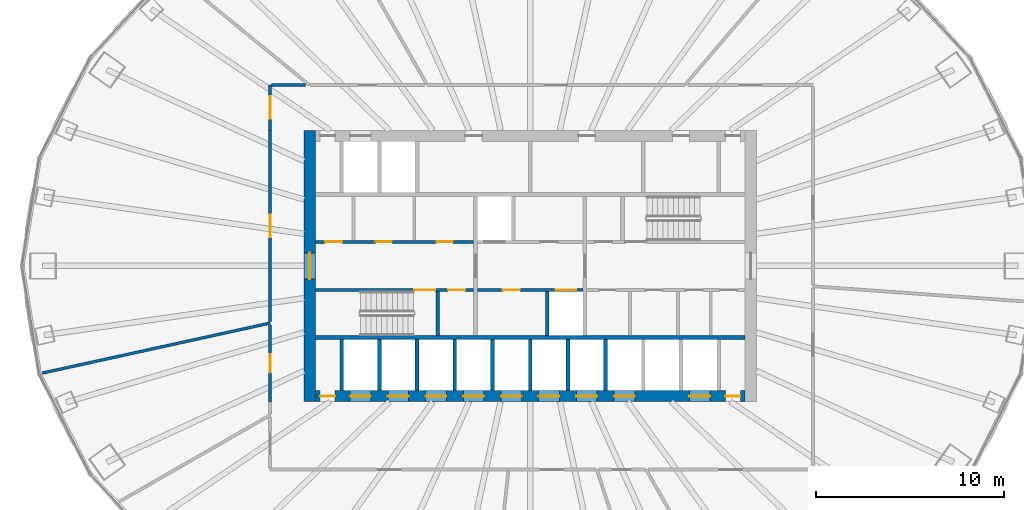
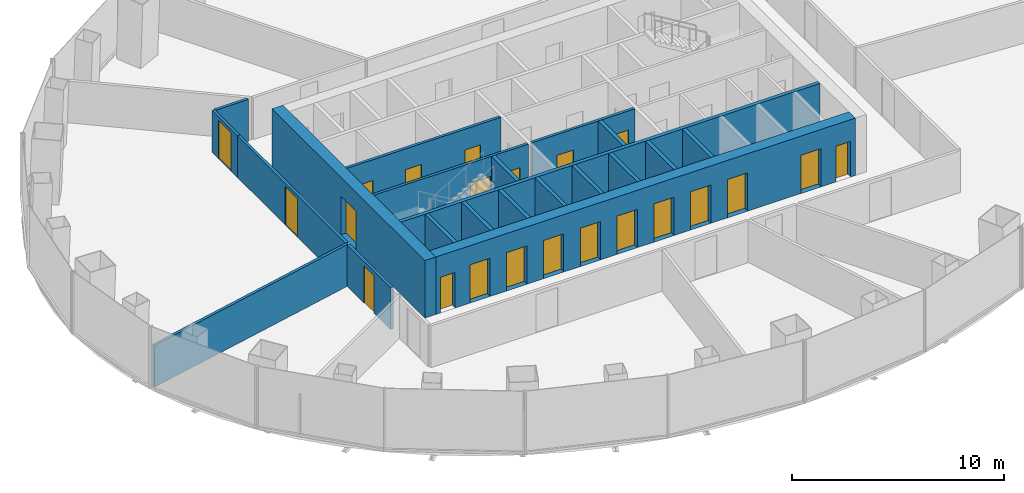
# One storey, part 8 of 11: 22 doors, 21 walls, 22 openings.
"""IFC4 building model written with IfcOpenShell, lengths in metres."""

from ifc_helpers import new_model, si_unit, direction, frame, frame_2d, origin, place, context, subcontext, project, spatial, rectangle, extrude, material, layer, layer_set, type_object, element, fill, save


model = new_model("IFC4")

# Units and contexts
model_context = context("Model", 3, precision=1e-05, world=origin(), true_north=direction((0.0, 1.0)))
body_context = subcontext(model_context, "Body", "Model", "MODEL_VIEW")
ifc_project = project(units=[si_unit("LENGTHUNIT", "METRE"), si_unit("AREAUNIT", "SQUARE_METRE"), si_unit("VOLUMEUNIT", "CUBIC_METRE"), si_unit("PLANEANGLEUNIT", "RADIAN"), si_unit("MASSUNIT", "GRAM", prefix="KILO")], contexts=[model_context])

# Site, building, storey
site_placement = place(None, origin())
site = spatial("IfcSite", under=ifc_project, at=site_placement, CompositionType="ELEMENT")
building_placement = place(site_placement, origin())
building = spatial("IfcBuilding", under=site, at=building_placement, Name="Siaravel Broadcast Tower", CompositionType="ELEMENT")
storey_placement = place(building_placement, frame((0.0, 0.0, 74.10009765625)))
storey = spatial("IfcBuildingStorey", under=building, at=storey_placement, Name="L17", CompositionType="ELEMENT", Elevation=74.10009765625)

# Wall, opening, door
ifc_material_1 = material(Name="Concrete C60/75", Category="concrete")
ifc_layer_1 = layer(ifc_material_1, 0.60009765625)
ifc_layer_set_1 = layer_set([ifc_layer_1], Name="Concrete C60/75")
wall_type_1 = type_object("IfcWallType", Name="Core wall 600", PredefinedType="SHEAR", material=ifc_layer_set_1)
wall_1_placement = place(storey_placement, frame((-11.699951171875, -7.199951171875, 0.0), z_axis=(0.0, 0.0, 1.0), x_axis=(0.0, 1.0, 0.0)))
wall_1 = element("IfcWall", 1, at=wall_1_placement, inside=storey, type_object=wall_type_1, Name="L17 core wall OW", PredefinedType="SHEAR", context=body_context, shape_type="SweptSolid", body=[
    extrude(rectangle(XDim=14.39990234375, YDim=0.60009765625, at=frame_2d((7.199951171875, 0.0))), origin(), (0.0, 0.0, 1.0), 3.2998046875),
])
opening_1_placement = place(wall_1_placement, frame((6.5, 0.0, 0.0)))
opening_1 = element("IfcOpeningElement", 2, at=opening_1_placement, cuts=wall_1, Name="Opening L17-DX-W", PredefinedType="OPENING", context=body_context, shape_type="SweptSolid", body=[
    extrude(rectangle(XDim=1.39990234375, YDim=2.199951171875, at=frame_2d((0.699951171875, 1.10009765625))), frame((0.0, 0.31005859375, 0.0), z_axis=(0.0, -1.0, 0.0), x_axis=(1.0, 0.0, 0.0)), (0.0, 0.0, 1.0), 0.6201171875),
])
ifc_material_2 = material(Name="Steel", Category="steel")
door_type_1 = type_object("IfcDoorType", Name="Core exit door 1400", OperationType="DOUBLE_DOOR_SINGLE_SWING", PredefinedType="DOOR", material=ifc_material_2)
door_1_placement = place(opening_1_placement, origin())
door_1 = element("IfcDoor", 3, at=door_1_placement, inside=storey, type_object=door_type_1, Name="L17 door DX-W", OperationType="DOUBLE_DOOR_SINGLE_SWING", OverallHeight=2.199951171875, OverallWidth=1.39990234375, PredefinedType="DOOR", context=body_context, shape_type="SweptSolid", body=[
    extrude(rectangle(XDim=1.39990234375, YDim=2.199951171875, at=frame_2d((0.699951171875, 1.10009765625))), frame((0.0, 0.02490234375, 0.0), z_axis=(0.0, -1.0, 0.0), x_axis=(1.0, 0.0, 0.0)), (0.0, 0.0, 1.0), 0.050048828125),
])
fill(opening_1, door_1)

# Wall, openings, doors
wall_2_placement = place(storey_placement, frame((-11.39990234375, -6.89990234375, 0.0), z_axis=(0.0, 0.0, 1.0), x_axis=(1.0, 0.0, 0.0)))
wall_2 = element("IfcWall", 4, at=wall_2_placement, inside=storey, type_object=wall_type_1, Name="L17 core wall OS", PredefinedType="SHEAR", context=body_context, shape_type="SweptSolid", body=[
    extrude(rectangle(XDim=22.7998046875, YDim=0.60009765625, at=frame_2d((11.39990234375, 0.0))), origin(), (0.0, 0.0, 1.0), 3.2998046875),
])
opening_2_placement = place(wall_2_placement, frame((1.85009765625, 0.0, 0.0)))
opening_2 = element("IfcOpeningElement", 5, at=opening_2_placement, cuts=wall_2, Name="Opening LD-LP1-L17", PredefinedType="OPENING", context=body_context, shape_type="SweptSolid", body=[
    extrude(rectangle(XDim=1.10009765625, YDim=2.199951171875, at=frame_2d((0.550048828125, 1.10009765625))), frame((0.0, 0.31005859375, 0.0), z_axis=(0.0, -1.0, 0.0), x_axis=(1.0, 0.0, 0.0)), (0.0, 0.0, 1.0), 0.6201171875),
])
opening_3_placement = place(wall_2_placement, frame((3.85009765625, 0.0, 0.0)))
opening_3 = element("IfcOpeningElement", 6, at=opening_3_placement, cuts=wall_2, Name="Opening LD-LP2-L17", PredefinedType="OPENING", context=body_context, shape_type="SweptSolid", body=[
    extrude(rectangle(XDim=1.10009765625, YDim=2.199951171875, at=frame_2d((0.550048828125, 1.10009765625))), frame((0.0, 0.31005859375, 0.0), z_axis=(0.0, -1.0, 0.0), x_axis=(1.0, 0.0, 0.0)), (0.0, 0.0, 1.0), 0.6201171875),
])
opening_4_placement = place(wall_2_placement, frame((5.85009765625, 0.0, 0.0)))
opening_4 = element("IfcOpeningElement", 7, at=opening_4_placement, cuts=wall_2, Name="Opening LD-LP3-L17", PredefinedType="OPENING", context=body_context, shape_type="SweptSolid", body=[
    extrude(rectangle(XDim=1.10009765625, YDim=2.199951171875, at=frame_2d((0.550048828125, 1.10009765625))), frame((0.0, 0.31005859375, 0.0), z_axis=(0.0, -1.0, 0.0), x_axis=(1.0, 0.0, 0.0)), (0.0, 0.0, 1.0), 0.6201171875),
])
opening_5_placement = place(wall_2_placement, frame((7.85009765625, 0.0, 0.0)))
opening_5 = element("IfcOpeningElement", 8, at=opening_5_placement, cuts=wall_2, Name="Opening LD-LP4-L17", PredefinedType="OPENING", context=body_context, shape_type="SweptSolid", body=[
    extrude(rectangle(XDim=1.10009765625, YDim=2.199951171875, at=frame_2d((0.550048828125, 1.10009765625))), frame((0.0, 0.31005859375, 0.0), z_axis=(0.0, -1.0, 0.0), x_axis=(1.0, 0.0, 0.0)), (0.0, 0.0, 1.0), 0.6201171875),
])
opening_6_placement = place(wall_2_placement, frame((9.85009765625, 0.0, 0.0)))
opening_6 = element("IfcOpeningElement", 9, at=opening_6_placement, cuts=wall_2, Name="Opening LD-LP5-L17", PredefinedType="OPENING", context=body_context, shape_type="SweptSolid", body=[
    extrude(rectangle(XDim=1.10009765625, YDim=2.199951171875, at=frame_2d((0.550048828125, 1.10009765625))), frame((0.0, 0.31005859375, 0.0), z_axis=(0.0, -1.0, 0.0), x_axis=(1.0, 0.0, 0.0)), (0.0, 0.0, 1.0), 0.6201171875),
])
opening_7_placement = place(wall_2_placement, frame((11.85009765625, 0.0, 0.0)))
opening_7 = element("IfcOpeningElement", 10, at=opening_7_placement, cuts=wall_2, Name="Opening LD-LP6-L17", PredefinedType="OPENING", context=body_context, shape_type="SweptSolid", body=[
    extrude(rectangle(XDim=1.10009765625, YDim=2.199951171875, at=frame_2d((0.550048828125, 1.10009765625))), frame((0.0, 0.31005859375, 0.0), z_axis=(0.0, -1.0, 0.0), x_axis=(1.0, 0.0, 0.0)), (0.0, 0.0, 1.0), 0.6201171875),
])
opening_8_placement = place(wall_2_placement, frame((13.85009765625, 0.0, 0.0)))
opening_8 = element("IfcOpeningElement", 11, at=opening_8_placement, cuts=wall_2, Name="Opening LD-LP7-L17", PredefinedType="OPENING", context=body_context, shape_type="SweptSolid", body=[
    extrude(rectangle(XDim=1.10009765625, YDim=2.199951171875, at=frame_2d((0.550048828125, 1.10009765625))), frame((0.0, 0.31005859375, 0.0), z_axis=(0.0, -1.0, 0.0), x_axis=(1.0, 0.0, 0.0)), (0.0, 0.0, 1.0), 0.6201171875),
])
opening_9_placement = place(wall_2_placement, frame((15.85009765625, 0.0, 0.0)))
opening_9 = element("IfcOpeningElement", 12, at=opening_9_placement, cuts=wall_2, Name="Opening LD-LP8-L17", PredefinedType="OPENING", context=body_context, shape_type="SweptSolid", body=[
    extrude(rectangle(XDim=1.10009765625, YDim=2.199951171875, at=frame_2d((0.550048828125, 1.10009765625))), frame((0.0, 0.31005859375, 0.0), z_axis=(0.0, -1.0, 0.0), x_axis=(1.0, 0.0, 0.0)), (0.0, 0.0, 1.0), 0.6201171875),
])
opening_10_placement = place(wall_2_placement, frame((19.85009765625, 0.0, 0.0)))
opening_10 = element("IfcOpeningElement", 13, at=opening_10_placement, cuts=wall_2, Name="Opening LD-SV1-L17", PredefinedType="OPENING", context=body_context, shape_type="SweptSolid", body=[
    extrude(rectangle(XDim=1.10009765625, YDim=2.199951171875, at=frame_2d((0.550048828125, 1.10009765625))), frame((0.0, 0.31005859375, 0.0), z_axis=(0.0, -1.0, 0.0), x_axis=(1.0, 0.0, 0.0)), (0.0, 0.0, 1.0), 0.6201171875),
])
opening_11_placement = place(wall_2_placement, frame((0.25, 0.0, 0.0)))
opening_11 = element("IfcOpeningElement", 14, at=opening_11_placement, cuts=wall_2, Name="Opening L17-DRSW", PredefinedType="OPENING", context=body_context, shape_type="SweptSolid", body=[
    extrude(rectangle(XDim=0.800048828125, YDim=2.050048828125, at=frame_2d((0.39990234375, 1.02490234375))), frame((0.0, 0.31005859375, 0.0), z_axis=(0.0, -1.0, 0.0), x_axis=(1.0, 0.0, 0.0)), (0.0, 0.0, 1.0), 0.6201171875),
])
opening_12_placement = place(wall_2_placement, frame((21.75, 0.0, 0.0)))
opening_12 = element("IfcOpeningElement", 15, at=opening_12_placement, cuts=wall_2, Name="Opening L17-DRSE", PredefinedType="OPENING", context=body_context, shape_type="SweptSolid", body=[
    extrude(rectangle(XDim=0.800048828125, YDim=2.050048828125, at=frame_2d((0.39990234375, 1.02490234375))), frame((0.0, 0.31005859375, 0.0), z_axis=(0.0, -1.0, 0.0), x_axis=(1.0, 0.0, 0.0)), (0.0, 0.0, 1.0), 0.6201171875),
])
ifc_material_3 = material(Name="Stainless steel 316L", Category="steel")
door_type_2 = type_object("IfcDoorType", Name="Lift landing door 1100", OperationType="DOUBLE_DOOR_SLIDING", PredefinedType="DOOR", material=ifc_material_3)
door_2_placement = place(opening_2_placement, origin())
door_2 = element("IfcDoor", 16, at=door_2_placement, inside=storey, type_object=door_type_2, Name="Landing door LP1 L17", OperationType="DOUBLE_DOOR_SLIDING", OverallHeight=2.199951171875, OverallWidth=1.10009765625, PredefinedType="DOOR", context=body_context, shape_type="SweptSolid", body=[
    extrude(rectangle(XDim=1.10009765625, YDim=2.199951171875, at=frame_2d((0.550048828125, 1.10009765625))), frame((0.0, 0.02490234375, 0.0), z_axis=(0.0, -1.0, 0.0), x_axis=(1.0, 0.0, 0.0)), (0.0, 0.0, 1.0), 0.050048828125),
])
fill(opening_2, door_2)
door_3_placement = place(opening_3_placement, origin())
door_3 = element("IfcDoor", 17, at=door_3_placement, inside=storey, type_object=door_type_2, Name="Landing door LP2 L17", OperationType="DOUBLE_DOOR_SLIDING", OverallHeight=2.199951171875, OverallWidth=1.10009765625, PredefinedType="DOOR", context=body_context, shape_type="SweptSolid", body=[
    extrude(rectangle(XDim=1.10009765625, YDim=2.199951171875, at=frame_2d((0.550048828125, 1.10009765625))), frame((0.0, 0.02490234375, 0.0), z_axis=(0.0, -1.0, 0.0), x_axis=(1.0, 0.0, 0.0)), (0.0, 0.0, 1.0), 0.050048828125),
])
fill(opening_3, door_3)
door_4_placement = place(opening_4_placement, origin())
door_4 = element("IfcDoor", 18, at=door_4_placement, inside=storey, type_object=door_type_2, Name="Landing door LP3 L17", OperationType="DOUBLE_DOOR_SLIDING", OverallHeight=2.199951171875, OverallWidth=1.10009765625, PredefinedType="DOOR", context=body_context, shape_type="SweptSolid", body=[
    extrude(rectangle(XDim=1.10009765625, YDim=2.199951171875, at=frame_2d((0.550048828125, 1.10009765625))), frame((0.0, 0.02490234375, 0.0), z_axis=(0.0, -1.0, 0.0), x_axis=(1.0, 0.0, 0.0)), (0.0, 0.0, 1.0), 0.050048828125),
])
fill(opening_4, door_4)
door_5_placement = place(opening_5_placement, origin())
door_5 = element("IfcDoor", 19, at=door_5_placement, inside=storey, type_object=door_type_2, Name="Landing door LP4 L17", OperationType="DOUBLE_DOOR_SLIDING", OverallHeight=2.199951171875, OverallWidth=1.10009765625, PredefinedType="DOOR", context=body_context, shape_type="SweptSolid", body=[
    extrude(rectangle(XDim=1.10009765625, YDim=2.199951171875, at=frame_2d((0.550048828125, 1.10009765625))), frame((0.0, 0.02490234375, 0.0), z_axis=(0.0, -1.0, 0.0), x_axis=(1.0, 0.0, 0.0)), (0.0, 0.0, 1.0), 0.050048828125),
])
fill(opening_5, door_5)
door_6_placement = place(opening_6_placement, origin())
door_6 = element("IfcDoor", 20, at=door_6_placement, inside=storey, type_object=door_type_2, Name="Landing door LP5 L17", OperationType="DOUBLE_DOOR_SLIDING", OverallHeight=2.199951171875, OverallWidth=1.10009765625, PredefinedType="DOOR", context=body_context, shape_type="SweptSolid", body=[
    extrude(rectangle(XDim=1.10009765625, YDim=2.199951171875, at=frame_2d((0.550048828125, 1.10009765625))), frame((0.0, 0.02490234375, 0.0), z_axis=(0.0, -1.0, 0.0), x_axis=(1.0, 0.0, 0.0)), (0.0, 0.0, 1.0), 0.050048828125),
])
fill(opening_6, door_6)
door_7_placement = place(opening_7_placement, origin())
door_7 = element("IfcDoor", 21, at=door_7_placement, inside=storey, type_object=door_type_2, Name="Landing door LP6 L17", OperationType="DOUBLE_DOOR_SLIDING", OverallHeight=2.199951171875, OverallWidth=1.10009765625, PredefinedType="DOOR", context=body_context, shape_type="SweptSolid", body=[
    extrude(rectangle(XDim=1.10009765625, YDim=2.199951171875, at=frame_2d((0.550048828125, 1.10009765625))), frame((0.0, 0.02490234375, 0.0), z_axis=(0.0, -1.0, 0.0), x_axis=(1.0, 0.0, 0.0)), (0.0, 0.0, 1.0), 0.050048828125),
])
fill(opening_7, door_7)
door_8_placement = place(opening_8_placement, origin())
door_8 = element("IfcDoor", 22, at=door_8_placement, inside=storey, type_object=door_type_2, Name="Landing door LP7 L17", OperationType="DOUBLE_DOOR_SLIDING", OverallHeight=2.199951171875, OverallWidth=1.10009765625, PredefinedType="DOOR", context=body_context, shape_type="SweptSolid", body=[
    extrude(rectangle(XDim=1.10009765625, YDim=2.199951171875, at=frame_2d((0.550048828125, 1.10009765625))), frame((0.0, 0.02490234375, 0.0), z_axis=(0.0, -1.0, 0.0), x_axis=(1.0, 0.0, 0.0)), (0.0, 0.0, 1.0), 0.050048828125),
])
fill(opening_8, door_8)
door_9_placement = place(opening_9_placement, origin())
door_9 = element("IfcDoor", 23, at=door_9_placement, inside=storey, type_object=door_type_2, Name="Landing door LP8 L17", OperationType="DOUBLE_DOOR_SLIDING", OverallHeight=2.199951171875, OverallWidth=1.10009765625, PredefinedType="DOOR", context=body_context, shape_type="SweptSolid", body=[
    extrude(rectangle(XDim=1.10009765625, YDim=2.199951171875, at=frame_2d((0.550048828125, 1.10009765625))), frame((0.0, 0.02490234375, 0.0), z_axis=(0.0, -1.0, 0.0), x_axis=(1.0, 0.0, 0.0)), (0.0, 0.0, 1.0), 0.050048828125),
])
fill(opening_9, door_9)
door_type_3 = type_object("IfcDoorType", Name="Riser door 800", OperationType="SINGLE_SWING_LEFT", PredefinedType="DOOR", material=ifc_material_2)
door_10_placement = place(opening_11_placement, origin())
door_10 = element("IfcDoor", 24, at=door_10_placement, inside=storey, type_object=door_type_3, Name="L17 door DRSW", OperationType="SINGLE_SWING_LEFT", OverallHeight=2.050048828125, OverallWidth=0.800048828125, PredefinedType="DOOR", context=body_context, shape_type="SweptSolid", body=[
    extrude(rectangle(XDim=0.800048828125, YDim=2.050048828125, at=frame_2d((0.39990234375, 1.02490234375))), frame((0.0, 0.02490234375, 0.0), z_axis=(0.0, -1.0, 0.0), x_axis=(1.0, 0.0, 0.0)), (0.0, 0.0, 1.0), 0.050048828125),
])
fill(opening_11, door_10)
door_11_placement = place(opening_12_placement, origin())
door_11 = element("IfcDoor", 25, at=door_11_placement, inside=storey, type_object=door_type_3, Name="L17 door DRSE", OperationType="SINGLE_SWING_LEFT", OverallHeight=2.050048828125, OverallWidth=0.800048828125, PredefinedType="DOOR", context=body_context, shape_type="SweptSolid", body=[
    extrude(rectangle(XDim=0.800048828125, YDim=2.050048828125, at=frame_2d((0.39990234375, 1.02490234375))), frame((0.0, 0.02490234375, 0.0), z_axis=(0.0, -1.0, 0.0), x_axis=(1.0, 0.0, 0.0)), (0.0, 0.0, 1.0), 0.050048828125),
])
fill(opening_12, door_11)
door_type_4 = type_object("IfcDoorType", Name="Service lift landing door 1100", OperationType="DOUBLE_DOOR_SLIDING", PredefinedType="DOOR", material=ifc_material_3)
door_12_placement = place(opening_10_placement, origin())
door_12 = element("IfcDoor", 26, at=door_12_placement, inside=storey, type_object=door_type_4, Name="Landing door SV1 L17", OperationType="DOUBLE_DOOR_SLIDING", OverallHeight=2.199951171875, OverallWidth=1.10009765625, PredefinedType="DOOR", context=body_context, shape_type="SweptSolid", body=[
    extrude(rectangle(XDim=1.10009765625, YDim=2.199951171875, at=frame_2d((0.550048828125, 1.10009765625))), frame((0.0, 0.02490234375, 0.0), z_axis=(0.0, -1.0, 0.0), x_axis=(1.0, 0.0, 0.0)), (0.0, 0.0, 1.0), 0.050048828125),
])
fill(opening_10, door_12)

ifc_material_4 = material(Name="Gypsum board partition", Category="gypsum")
ifc_layer_2 = layer(ifc_material_4, 0.14990234375)
ifc_layer_set_2 = layer_set([ifc_layer_2], Name="Gypsum board partition")
wall_type_2 = type_object("IfcWallType", Name="Corridor wall 150", PredefinedType="PARTITIONING", material=ifc_layer_set_2)
wall_3_placement = place(storey_placement, frame((-11.39990234375, 1.27490234375, 0.0), z_axis=(0.0, 0.0, 1.0), x_axis=(1.0, 0.0, 0.0)))
wall_3 = element("IfcWall", 27, at=wall_3_placement, inside=storey, type_object=wall_type_2, Name="L17 core partition CNW", PredefinedType="PARTITIONING", context=body_context, shape_type="SweptSolid", body=[
    extrude(rectangle(XDim=8.39990234375, YDim=0.14990234375, at=frame_2d((4.199951171875, 0.0))), origin(), (0.0, 0.0, 1.0), 3.2998046875),
])
opening_13_placement = place(wall_3_placement, frame((0.52197265625, 0.0, 0.0)))
opening_13 = element("IfcOpeningElement", 28, at=opening_13_placement, cuts=wall_3, Name="Opening L17-DNW0", PredefinedType="OPENING", context=body_context, shape_type="SweptSolid", body=[
    extrude(rectangle(XDim=0.89990234375, YDim=2.10009765625, at=frame_2d((0.449951171875, 1.050048828125))), frame((0.0, 0.0849609375, 0.0), z_axis=(0.0, -1.0, 0.0), x_axis=(1.0, 0.0, 0.0)), (0.0, 0.0, 1.0), 0.169921875),
])
opening_14_placement = place(wall_3_placement, frame((3.2080078125, 0.0, 0.0)))
opening_14 = element("IfcOpeningElement", 29, at=opening_14_placement, cuts=wall_3, Name="Opening L17-DNW1", PredefinedType="OPENING", context=body_context, shape_type="SweptSolid", body=[
    extrude(rectangle(XDim=0.85009765625, YDim=2.10009765625, at=frame_2d((0.425048828125, 1.050048828125))), frame((0.0, 0.0849609375, 0.0), z_axis=(0.0, -1.0, 0.0), x_axis=(1.0, 0.0, 0.0)), (0.0, 0.0, 1.0), 0.169921875),
])
opening_15_placement = place(wall_3_placement, frame((6.43603515625, 0.0, 0.0)))
opening_15 = element("IfcOpeningElement", 30, at=opening_15_placement, cuts=wall_3, Name="Opening L17-DNW2", PredefinedType="OPENING", context=body_context, shape_type="SweptSolid", body=[
    extrude(rectangle(XDim=0.85009765625, YDim=2.10009765625, at=frame_2d((0.425048828125, 1.050048828125))), frame((0.0, 0.0849609375, 0.0), z_axis=(0.0, -1.0, 0.0), x_axis=(1.0, 0.0, 0.0)), (0.0, 0.0, 1.0), 0.169921875),
])
ifc_material_5 = material(Name="Timber veneer", Category="wood")
door_type_5 = type_object("IfcDoorType", Name="Core room door 900", OperationType="SINGLE_SWING_LEFT", PredefinedType="DOOR", material=ifc_material_5)
door_13_placement = place(opening_13_placement, origin())
door_13 = element("IfcDoor", 31, at=door_13_placement, inside=storey, type_object=door_type_5, Name="L17 door DNW0", OperationType="SINGLE_SWING_LEFT", OverallHeight=2.10009765625, OverallWidth=0.89990234375, PredefinedType="DOOR", context=body_context, shape_type="SweptSolid", body=[
    extrude(rectangle(XDim=0.89990234375, YDim=2.10009765625, at=frame_2d((0.449951171875, 1.050048828125))), frame((0.0, 0.02490234375, 0.0), z_axis=(0.0, -1.0, 0.0), x_axis=(1.0, 0.0, 0.0)), (0.0, 0.0, 1.0), 0.050048828125),
])
fill(opening_13, door_13)
door_type_6 = type_object("IfcDoorType", Name="Core toilet door 850", OperationType="SINGLE_SWING_LEFT", PredefinedType="DOOR", material=ifc_material_5)
door_14_placement = place(opening_14_placement, origin())
door_14 = element("IfcDoor", 32, at=door_14_placement, inside=storey, type_object=door_type_6, Name="L17 door DNW1", OperationType="SINGLE_SWING_LEFT", OverallHeight=2.10009765625, OverallWidth=0.85009765625, PredefinedType="DOOR", context=body_context, shape_type="SweptSolid", body=[
    extrude(rectangle(XDim=0.85009765625, YDim=2.10009765625, at=frame_2d((0.425048828125, 1.050048828125))), frame((0.0, 0.02490234375, 0.0), z_axis=(0.0, -1.0, 0.0), x_axis=(1.0, 0.0, 0.0)), (0.0, 0.0, 1.0), 0.050048828125),
])
fill(opening_14, door_14)
door_15_placement = place(opening_15_placement, origin())
door_15 = element("IfcDoor", 33, at=door_15_placement, inside=storey, type_object=door_type_6, Name="L17 door DNW2", OperationType="SINGLE_SWING_LEFT", OverallHeight=2.10009765625, OverallWidth=0.85009765625, PredefinedType="DOOR", context=body_context, shape_type="SweptSolid", body=[
    extrude(rectangle(XDim=0.85009765625, YDim=2.10009765625, at=frame_2d((0.425048828125, 1.050048828125))), frame((0.0, 0.02490234375, 0.0), z_axis=(0.0, -1.0, 0.0), x_axis=(1.0, 0.0, 0.0)), (0.0, 0.0, 1.0), 0.050048828125),
])
fill(opening_15, door_15)

# Wall, opening, door
wall_4_placement = place(storey_placement, frame((-13.800048828125, 7.2119140625, 0.0), z_axis=(0.0, 0.0, 1.0), x_axis=(0.0, -1.0, 0.0)))
wall_4 = element("IfcWall", 34, at=wall_4_placement, inside=storey, type_object=wall_type_2, Name="L17 partition 10", PredefinedType="PARTITIONING", context=body_context, shape_type="SweptSolid", body=[
    extrude(rectangle(XDim=10.16552734375, YDim=0.14990234375, at=frame_2d((5.082763671875, 0.0))), origin(), (0.0, 0.0, 1.0), 2.39990234375),
])
opening_16_placement = place(wall_4_placement, frame((4.48291015625, 0.0, 0.0)))
opening_16 = element("IfcOpeningElement", 35, at=opening_16_placement, cuts=wall_4, Name="Opening L17-007", PredefinedType="OPENING", context=body_context, shape_type="SweptSolid", body=[
    extrude(rectangle(XDim=1.199951171875, YDim=2.199951171875, at=frame_2d((0.60009765625, 1.10009765625))), frame((0.0, 0.0849609375, 0.0), z_axis=(0.0, -1.0, 0.0), x_axis=(1.0, 0.0, 0.0)), (0.0, 0.0, 1.0), 0.169921875),
])
door_type_7 = type_object("IfcDoorType", Name="Office double door 1200", OperationType="DOUBLE_DOOR_SINGLE_SWING", PredefinedType="DOOR", material=ifc_material_5)
door_16_placement = place(opening_16_placement, origin())
door_16 = element("IfcDoor", 36, at=door_16_placement, inside=storey, type_object=door_type_7, Name="L17 door to Open plan newsroom", OperationType="DOUBLE_DOOR_SINGLE_SWING", OverallHeight=2.199951171875, OverallWidth=1.199951171875, PredefinedType="DOOR", context=body_context, shape_type="SweptSolid", body=[
    extrude(rectangle(XDim=1.199951171875, YDim=2.199951171875, at=frame_2d((0.60009765625, 1.10009765625))), frame((0.0, 0.02490234375, 0.0), z_axis=(0.0, -1.0, 0.0), x_axis=(1.0, 0.0, 0.0)), (0.0, 0.0, 1.0), 0.050048828125),
])
fill(opening_16, door_16)

wall_5_placement = place(storey_placement, frame((-13.800048828125, -3.1240234375, 0.0), z_axis=(0.0, 0.0, 1.0), x_axis=(0.0, -1.0, 0.0)))
wall_5 = element("IfcWall", 37, at=wall_5_placement, inside=storey, type_object=wall_type_2, Name="L17 partition 19", PredefinedType="PARTITIONING", context=body_context, shape_type="SweptSolid", body=[
    extrude(rectangle(XDim=4.087890625, YDim=0.14990234375, at=frame_2d((2.0439453125, 0.0))), origin(), (0.0, 0.0, 1.0), 2.39990234375),
])
opening_17_placement = place(wall_5_placement, frame((1.569091796875, 0.0, 0.0)))
opening_17 = element("IfcOpeningElement", 38, at=opening_17_placement, cuts=wall_5, Name="Opening L17-009", PredefinedType="OPENING", context=body_context, shape_type="SweptSolid", body=[
    extrude(rectangle(XDim=0.949951171875, YDim=2.14990234375, at=frame_2d((0.47509765625, 1.074951171875))), frame((0.0, 0.0849609375, 0.0), z_axis=(0.0, -1.0, 0.0), x_axis=(1.0, 0.0, 0.0)), (0.0, 0.0, 1.0), 0.169921875),
])
door_type_8 = type_object("IfcDoorType", Name="Office door 950", OperationType="SINGLE_SWING_LEFT", PredefinedType="DOOR", material=ifc_material_5)
door_17_placement = place(opening_17_placement, origin())
door_17 = element("IfcDoor", 39, at=door_17_placement, inside=storey, type_object=door_type_8, Name="L17 door to Graphics studio", OperationType="SINGLE_SWING_LEFT", OverallHeight=2.14990234375, OverallWidth=0.949951171875, PredefinedType="DOOR", context=body_context, shape_type="SweptSolid", body=[
    extrude(rectangle(XDim=0.949951171875, YDim=2.14990234375, at=frame_2d((0.47509765625, 1.074951171875))), frame((0.0, 0.02490234375, 0.0), z_axis=(0.0, -1.0, 0.0), x_axis=(1.0, 0.0, 0.0)), (0.0, 0.0, 1.0), 0.050048828125),
])
fill(opening_17, door_17)

wall_6_placement = place(storey_placement, frame((-13.800048828125, 9.60009765625, 0.0), z_axis=(0.0, 0.0, 1.0), x_axis=(0.0, -1.0, 0.0)))
wall_6 = element("IfcWall", 40, at=wall_6_placement, inside=storey, type_object=wall_type_2, Name="L17 partition 23", PredefinedType="PARTITIONING", context=body_context, shape_type="SweptSolid", body=[
    extrude(rectangle(XDim=2.38720703125, YDim=0.14990234375, at=frame_2d((1.193603515625, 0.0))), origin(), (0.0, 0.0, 1.0), 2.39990234375),
])
opening_18_placement = place(wall_6_placement, frame((0.593505859375, 0.0, 0.0)))
opening_18 = element("IfcOpeningElement", 41, at=opening_18_placement, cuts=wall_6, Name="Opening L17-008", PredefinedType="OPENING", context=body_context, shape_type="SweptSolid", body=[
    extrude(rectangle(XDim=1.199951171875, YDim=2.199951171875, at=frame_2d((0.60009765625, 1.10009765625))), frame((0.0, 0.0849609375, 0.0), z_axis=(0.0, -1.0, 0.0), x_axis=(1.0, 0.0, 0.0)), (0.0, 0.0, 1.0), 0.169921875),
])
door_18_placement = place(opening_18_placement, origin())
door_18 = element("IfcDoor", 42, at=door_18_placement, inside=storey, type_object=door_type_7, Name="L17 door to Open plan newsroom", OperationType="DOUBLE_DOOR_SINGLE_SWING", OverallHeight=2.199951171875, OverallWidth=1.199951171875, PredefinedType="DOOR", context=body_context, shape_type="SweptSolid", body=[
    extrude(rectangle(XDim=1.199951171875, YDim=2.199951171875, at=frame_2d((0.60009765625, 1.10009765625))), frame((0.0, 0.02490234375, 0.0), z_axis=(0.0, -1.0, 0.0), x_axis=(1.0, 0.0, 0.0)), (0.0, 0.0, 1.0), 0.050048828125),
])
fill(opening_18, door_18)

# Walls
wall_7_placement = place(storey_placement, frame((-11.931884765625, 9.60009765625, 0.0), z_axis=(0.0, 0.0, 1.0), x_axis=(-1.0, 0.0, 0.0)))
element("IfcWall", 43, at=wall_7_placement, inside=storey, type_object=wall_type_2, Name="L17 partition 25", PredefinedType="PARTITIONING", context=body_context, shape_type="SweptSolid", body=[
    extrude(rectangle(XDim=1.791015625, YDim=0.14990234375, at=frame_2d((0.8955078125, 0.0))), origin(), (0.0, 0.0, 1.0), 2.39990234375),
])
ifc_layer_3 = layer(ifc_material_4, 0.14990234375)
ifc_layer_set_3 = layer_set([ifc_layer_3], Name="Gypsum board partition")
wall_type_3 = type_object("IfcWallType", Name="Room partition 150", PredefinedType="PARTITIONING", material=ifc_layer_set_3)
wall_8_placement = place(storey_placement, frame((-25.878173828125, -5.6796875, 0.0), z_axis=(0.0, 0.0, 1.0), x_axis=(0.976751402, 0.214375136, 0.0)))
element("IfcWall", 44, at=wall_8_placement, inside=storey, type_object=wall_type_3, Name="L17 partition 3", PredefinedType="PARTITIONING", context=body_context, shape_type="SweptSolid", body=[
    extrude(rectangle(XDim=12.36572265625, YDim=0.14990234375, at=frame_2d((6.182861328125, 0.0))), origin(), (0.0, 0.0, 1.0), 2.39990234375),
])

# Wall, openings, doors
ifc_layer_4 = layer(ifc_material_1, 0.14990234375)
ifc_layer_set_4 = layer_set([ifc_layer_4], Name="Concrete C60/75")
wall_type_4 = type_object("IfcWallType", Name="Shaft wall 150", PredefinedType="SHEAR", material=ifc_layer_set_4)
wall_9_placement = place(storey_placement, frame((-11.39990234375, -1.27490234375, 0.0), z_axis=(0.0, 0.0, 1.0), x_axis=(1.0, 0.0, 0.0)))
wall_9 = element("IfcWall", 45, at=wall_9_placement, inside=storey, type_object=wall_type_4, Name="L17 core wall CSW", PredefinedType="SHEAR", context=body_context, shape_type="SweptSolid", body=[
    extrude(rectangle(XDim=8.39990234375, YDim=0.14990234375, at=frame_2d((4.199951171875, 0.0))), origin(), (0.0, 0.0, 1.0), 3.2998046875),
])
opening_19_placement = place(wall_9_placement, frame((5.25, 0.0, 0.0)))
opening_19 = element("IfcOpeningElement", 46, at=opening_19_placement, cuts=wall_9, Name="Opening L17-DS-1", PredefinedType="OPENING", context=body_context, shape_type="SweptSolid", body=[
    extrude(rectangle(XDim=1.10009765625, YDim=2.14990234375, at=frame_2d((0.550048828125, 1.074951171875))), frame((0.0, 0.0849609375, 0.0), z_axis=(0.0, -1.0, 0.0), x_axis=(1.0, 0.0, 0.0)), (0.0, 0.0, 1.0), 0.169921875),
])
opening_20_placement = place(wall_9_placement, frame((7.050048828125, 0.0, 0.0)))
opening_20 = element("IfcOpeningElement", 47, at=opening_20_placement, cuts=wall_9, Name="Opening L17-DSW0", PredefinedType="OPENING", context=body_context, shape_type="SweptSolid", body=[
    extrude(rectangle(XDim=0.89990234375, YDim=2.10009765625, at=frame_2d((0.449951171875, 1.050048828125))), frame((0.0, 0.0849609375, 0.0), z_axis=(0.0, -1.0, 0.0), x_axis=(1.0, 0.0, 0.0)), (0.0, 0.0, 1.0), 0.169921875),
])
door_19_placement = place(opening_20_placement, origin())
door_19 = element("IfcDoor", 48, at=door_19_placement, inside=storey, type_object=door_type_5, Name="L17 door DSW0", OperationType="SINGLE_SWING_LEFT", OverallHeight=2.10009765625, OverallWidth=0.89990234375, PredefinedType="DOOR", context=body_context, shape_type="SweptSolid", body=[
    extrude(rectangle(XDim=0.89990234375, YDim=2.10009765625, at=frame_2d((0.449951171875, 1.050048828125))), frame((0.0, 0.02490234375, 0.0), z_axis=(0.0, -1.0, 0.0), x_axis=(1.0, 0.0, 0.0)), (0.0, 0.0, 1.0), 0.050048828125),
])
fill(opening_20, door_19)
door_type_9 = type_object("IfcDoorType", Name="Stair door 1100", OperationType="SINGLE_SWING_LEFT", PredefinedType="DOOR", material=ifc_material_2)
door_20_placement = place(opening_19_placement, origin())
door_20 = element("IfcDoor", 49, at=door_20_placement, inside=storey, type_object=door_type_9, Name="L17 door DS-1", OperationType="SINGLE_SWING_LEFT", OverallHeight=2.14990234375, OverallWidth=1.10009765625, PredefinedType="DOOR", context=body_context, shape_type="SweptSolid", body=[
    extrude(rectangle(XDim=1.10009765625, YDim=2.14990234375, at=frame_2d((0.550048828125, 1.074951171875))), frame((0.0, 0.02490234375, 0.0), z_axis=(0.0, -1.0, 0.0), x_axis=(1.0, 0.0, 0.0)), (0.0, 0.0, 1.0), 0.050048828125),
])
fill(opening_19, door_20)

wall_10_placement = place(storey_placement, frame((-2.800048828125, -1.27490234375, 0.0), z_axis=(0.0, 0.0, 1.0), x_axis=(1.0, 0.0, 0.0)))
wall_10 = element("IfcWall", 50, at=wall_10_placement, inside=storey, type_object=wall_type_4, Name="L17 core wall CSM", PredefinedType="SHEAR", context=body_context, shape_type="SweptSolid", body=[
    extrude(rectangle(XDim=5.60009765625, YDim=0.14990234375, at=frame_2d((2.800048828125, 0.0))), origin(), (0.0, 0.0, 1.0), 3.2998046875),
])
opening_21_placement = place(wall_10_placement, frame((4.14990234375, 0.0, 0.0)))
opening_21 = element("IfcOpeningElement", 51, at=opening_21_placement, cuts=wall_10, Name="Opening LD-FL2-L17", PredefinedType="OPENING", context=body_context, shape_type="SweptSolid", body=[
    extrude(rectangle(XDim=1.10009765625, YDim=2.199951171875, at=frame_2d((0.550048828125, 1.10009765625))), frame((0.0, 0.0849609375, 0.0), z_axis=(0.0, -1.0, 0.0), x_axis=(1.0, 0.0, 0.0)), (0.0, 0.0, 1.0), 0.169921875),
])
opening_22_placement = place(wall_10_placement, frame((1.35009765625, 0.0, 0.0)))
opening_22 = element("IfcOpeningElement", 52, at=opening_22_placement, cuts=wall_10, Name="Opening L17-DSM0", PredefinedType="OPENING", context=body_context, shape_type="SweptSolid", body=[
    extrude(rectangle(XDim=0.89990234375, YDim=2.10009765625, at=frame_2d((0.449951171875, 1.050048828125))), frame((0.0, 0.0849609375, 0.0), z_axis=(0.0, -1.0, 0.0), x_axis=(1.0, 0.0, 0.0)), (0.0, 0.0, 1.0), 0.169921875),
])
door_21_placement = place(opening_22_placement, origin())
door_21 = element("IfcDoor", 53, at=door_21_placement, inside=storey, type_object=door_type_5, Name="L17 door DSM0", OperationType="SINGLE_SWING_LEFT", OverallHeight=2.10009765625, OverallWidth=0.89990234375, PredefinedType="DOOR", context=body_context, shape_type="SweptSolid", body=[
    extrude(rectangle(XDim=0.89990234375, YDim=2.10009765625, at=frame_2d((0.449951171875, 1.050048828125))), frame((0.0, 0.02490234375, 0.0), z_axis=(0.0, -1.0, 0.0), x_axis=(1.0, 0.0, 0.0)), (0.0, 0.0, 1.0), 0.050048828125),
])
fill(opening_22, door_21)
door_type_10 = type_object("IfcDoorType", Name="Firefighting lift landing door 1100", OperationType="DOUBLE_DOOR_SLIDING", PredefinedType="DOOR", material=ifc_material_3)
door_22_placement = place(opening_21_placement, origin())
door_22 = element("IfcDoor", 54, at=door_22_placement, inside=storey, type_object=door_type_10, Name="Landing door FL2 L17", OperationType="DOUBLE_DOOR_SLIDING", OverallHeight=2.199951171875, OverallWidth=1.10009765625, PredefinedType="DOOR", context=body_context, shape_type="SweptSolid", body=[
    extrude(rectangle(XDim=1.10009765625, YDim=2.199951171875, at=frame_2d((0.550048828125, 1.10009765625))), frame((0.0, 0.02490234375, 0.0), z_axis=(0.0, -1.0, 0.0), x_axis=(1.0, 0.0, 0.0)), (0.0, 0.0, 1.0), 0.050048828125),
])
fill(opening_21, door_22)

# Walls
ifc_layer_5 = layer(ifc_material_1, 0.199951171875)
ifc_layer_set_5 = layer_set([ifc_layer_5], Name="Concrete C60/75")
wall_type_5 = type_object("IfcWallType", Name="Shaft wall 200", PredefinedType="SHEAR", material=ifc_layer_set_5)
wall_11_placement = place(storey_placement, frame((-11.39990234375, -3.800048828125, 0.0), z_axis=(0.0, 0.0, 1.0), x_axis=(1.0, 0.0, 0.0)))
element("IfcWall", 55, at=wall_11_placement, inside=storey, type_object=wall_type_5, Name="L17 core wall BS", PredefinedType="SHEAR", context=body_context, shape_type="SweptSolid", body=[
    extrude(rectangle(XDim=22.7998046875, YDim=0.199951171875, at=frame_2d((11.39990234375, 0.0))), origin(), (0.0, 0.0, 1.0), 3.2998046875),
])
for number, where, z_axis, x_axis, name in (
    (56, (-10.0, -6.60009765625, 0.0), (0.0, 0.0, 1.0), (0.0, 1.0, 0.0), "L17 core wall SWS0"),
    (57, (-8.0, -6.60009765625, 0.0), (0.0, 0.0, 1.0), (0.0, 1.0, 0.0), "L17 core wall SWS1"),
    (58, (-6.0, -6.60009765625, 0.0), (0.0, 0.0, 1.0), (0.0, 1.0, 0.0), "L17 core wall SWS2"),
    (59, (-4.0, -6.60009765625, 0.0), (0.0, 0.0, 1.0), (0.0, 1.0, 0.0), "L17 core wall SWS3"),
    (60, (-2.0, -6.60009765625, 0.0), (0.0, 0.0, 1.0), (0.0, 1.0, 0.0), "L17 core wall SWS4"),
    (61, (0.0, -6.60009765625, 0.0), (0.0, 0.0, 1.0), (0.0, 1.0, 0.0), "L17 core wall SWS5"),
    (62, (2.0, -6.60009765625, 0.0), (0.0, 0.0, 1.0), (0.0, 1.0, 0.0), "L17 core wall SWS6"),
    (63, (4.0, -6.60009765625, 0.0), (0.0, 0.0, 1.0), (0.0, 1.0, 0.0), "L17 core wall SWS7"),
):
    element("IfcWall", number, at=place(storey_placement, frame(where, z_axis=z_axis, x_axis=x_axis)), inside=storey, type_object=wall_type_5, Name=name, PredefinedType="SHEAR", context=body_context, shape_type="SweptSolid", body=[
        extrude(rectangle(XDim=2.7001953125, YDim=0.199951171875, at=frame_2d((1.35009765625, 0.0))), origin(), (0.0, 0.0, 1.0), 3.2998046875),
    ])
for number, where, z_axis, x_axis, name in (
    (64, (0.89990234375, -3.699951171875, 0.0), (0.0, 0.0, 1.0), (0.0, 1.0, 0.0), "L17 core wall FF2W"),
    (65, (-4.89990234375, -3.699951171875, 0.0), (0.0, 0.0, 1.0), (0.0, 1.0, 0.0), "L17 core wall ST1E"),
):
    element("IfcWall", number, at=place(storey_placement, frame(where, z_axis=z_axis, x_axis=x_axis)), inside=storey, type_object=wall_type_5, Name=name, PredefinedType="SHEAR", context=body_context, shape_type="SweptSolid", body=[
        extrude(rectangle(XDim=2.349853515625, YDim=0.199951171875, at=frame_2d((1.1748046875, 0.0))), origin(), (0.0, 0.0, 1.0), 3.2998046875),
    ])

save(model, "model.ifc")
